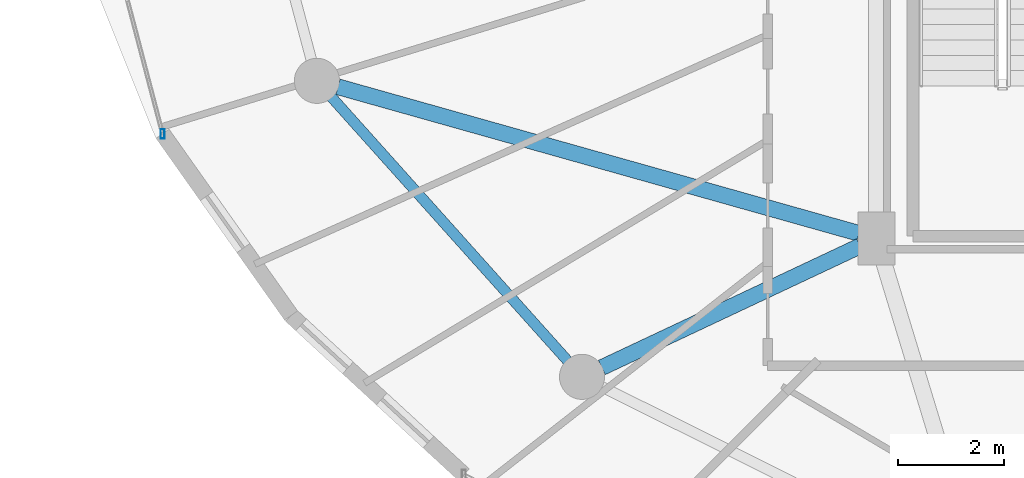
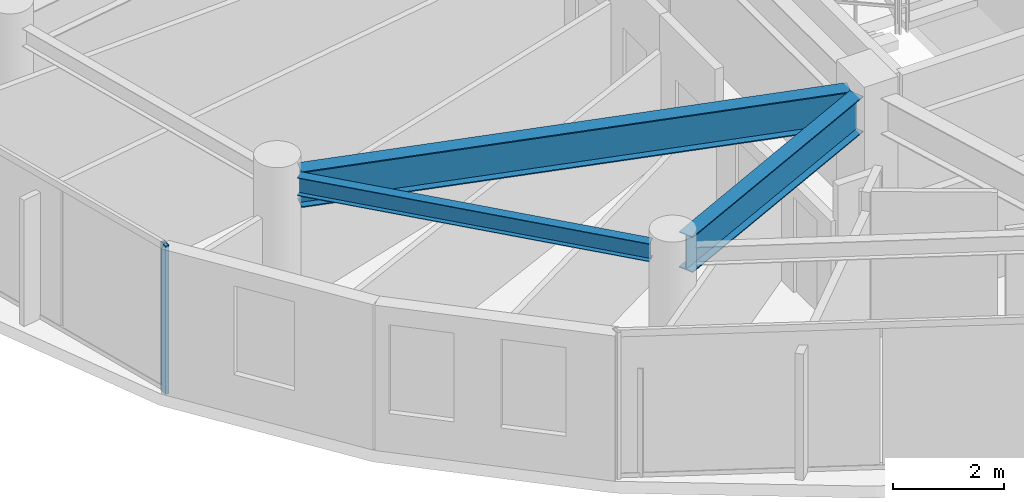
# One storey, part 3 of 25: 3 beams, 1 member, 1 element without a shape of its own.
"""IFC4 building model written with IfcOpenShell, lengths in metres."""

from ifc_helpers import new_model, si_unit, direction, frame, origin, origin_2d, place, context, subcontext, project, spatial, hollow_rectangle, i_section, extrude, material, material_profile, profile_set, type_object, element, aggregate, save


model = new_model("IFC4")

# Units and contexts
model_context = context("Model", 3, precision=1e-05, world=origin(), true_north=direction((0.0, 1.0)))
body_context = subcontext(model_context, "Body", "Model", "MODEL_VIEW")
ifc_project = project(units=[si_unit("LENGTHUNIT", "METRE"), si_unit("AREAUNIT", "SQUARE_METRE"), si_unit("VOLUMEUNIT", "CUBIC_METRE"), si_unit("PLANEANGLEUNIT", "RADIAN"), si_unit("MASSUNIT", "GRAM", prefix="KILO")], contexts=[model_context])

# Site, building, storey
site_placement = place(None, origin())
site = spatial("IfcSite", under=ifc_project, at=site_placement, CompositionType="ELEMENT")
building_placement = place(site_placement, origin())
building = spatial("IfcBuilding", under=site, at=building_placement, Name="Vorneva Point Tower", CompositionType="ELEMENT")
storey_placement = place(building_placement, frame((0.0, 0.0, 276.85009765625)))
storey = spatial("IfcBuildingStorey", under=building, at=storey_placement, Name="L75", CompositionType="ELEMENT", Elevation=276.85009765625)

# Beams
ifc_material_1 = material(Name="Steel S355", Category="steel")
ifc_material_profile_1 = material_profile(ifc_material_1, i_section(OverallWidth=0.300048828125, OverallDepth=0.7880859375, WebThickness=0.014404296875, FlangeThickness=0.02197265625, at=origin_2d()), Name="80Sh1")
ifc_profile_set_1 = profile_set([ifc_material_profile_1], Name="Steel S355")
beam_type_1 = type_object("IfcBeamType", Name="BM-GRD-80Sh1", PredefinedType="USERDEFINED", material=ifc_profile_set_1)
beam_1_placement = place(storey_placement, frame((17.102294921875, 19.305908203125, 2.7958984375), z_axis=(0.962601026021, -0.270922986664, 0.0), x_axis=(0.270922986664, 0.962601026021, 0.0)))
element("IfcBeam", 1, at=beam_1_placement, inside=storey, type_object=beam_type_1, Name="L75 Radial Primary Girder 10", ObjectType="GIRDER", PredefinedType="USERDEFINED", context=body_context, shape_type="SweptSolid", body=[
    extrude(i_section(OverallWidth=0.300048828125, OverallDepth=0.7880859375, WebThickness=0.014404296875, FlangeThickness=0.02197265625, at=origin_2d()), origin(), (0.0, 0.0, 1.0), 10.201904296875),
])
beam_2_placement = place(storey_placement, frame((22.074951171875, 14.013671875, 2.7958984375), z_axis=(0.904750812805, 0.425941271455, 0.0), x_axis=(-0.425941271455, 0.904750812805, 0.0)))
element("IfcBeam", 2, at=beam_2_placement, inside=storey, type_object=beam_type_1, Name="L75 Radial Primary Girder 11", ObjectType="GIRDER", PredefinedType="USERDEFINED", context=body_context, shape_type="SweptSolid", body=[
    extrude(i_section(OverallWidth=0.300048828125, OverallDepth=0.7880859375, WebThickness=0.014404296875, FlangeThickness=0.02197265625, at=origin_2d()), origin(), (0.0, 0.0, 1.0), 5.3798828125),
])
ifc_material_profile_2 = material_profile(ifc_material_1, i_section(OverallWidth=0.198974609375, OverallDepth=0.39599609375, WebThickness=0.007080078125, FlangeThickness=0.010986328125, at=origin_2d()), Name="40B1")
ifc_profile_set_2 = profile_set([ifc_material_profile_2], Name="Steel S355")
beam_type_2 = type_object("IfcBeamType", Name="BM-SPN-40B1", PredefinedType="SPANDREL", material=ifc_profile_set_2)
beam_3_placement = place(storey_placement, frame((16.97802734375, 19.1123046875, 2.991943359375), z_axis=(0.667108282638, -0.744960763554, 0.0), x_axis=(0.744960763554, 0.667108282638, 0.0)))
element("IfcBeam", 3, at=beam_3_placement, inside=storey, type_object=beam_type_2, Name="L75 Perimeter Spandrel Ring Beam 10", PredefinedType="SPANDREL", context=body_context, shape_type="SweptSolid", body=[
    extrude(i_section(OverallWidth=0.198974609375, OverallDepth=0.39599609375, WebThickness=0.007080078125, FlangeThickness=0.010986328125, at=origin_2d()), origin(), (0.0, 0.0, 1.0), 6.670166015625),
])

# Curtain wall, member
ifc_material_2 = material(Name="Pale anodised aluminium", Category="aluminium")
curtain_wall_type = type_object("IfcCurtainWallType", Name="CW-RES-SYS", PredefinedType="NOTDEFINED", material=ifc_material_2)
curtain_wall_placement = place(storey_placement, origin())
curtain_wall = element("IfcCurtainWall", 4, at=curtain_wall_placement, inside=storey, type_object=curtain_wall_type, Name="L75 Unitised Curtain Wall CW-L75-R03", PredefinedType="NOTDEFINED")
ifc_material_profile_3 = material_profile(ifc_material_2, hollow_rectangle(XDim=0.074951171875, YDim=0.179931640625, WallThickness=0.00390625, at=origin_2d()), Name="AL-MUL 180x75x4")
ifc_profile_set_3 = profile_set([ifc_material_profile_3], Name="Pale anodised aluminium")
member_type = type_object("IfcMemberType", Name="CW-MUL-180", PredefinedType="MULLION", material=ifc_profile_set_3)
member_placement = place(storey_placement, frame((13.79443359375, 18.4189453125, -0.0400390625), z_axis=(0.0, 0.0, 1.0), x_axis=(1.0, 0.0, 0.0)))
member = element("IfcMember", 5, at=member_placement, type_object=member_type, Name="CW-L75-R03 Mullion 04", PredefinedType="MULLION", context=body_context, shape_type="SweptSolid", body=[
    extrude(hollow_rectangle(XDim=0.074951171875, YDim=0.179931640625, WallThickness=0.00390625, at=origin_2d()), origin(), (0.0, 0.0, 1.0), 3.260009765625),
])
aggregate(curtain_wall, [member])

save(model, "model.ifc")
